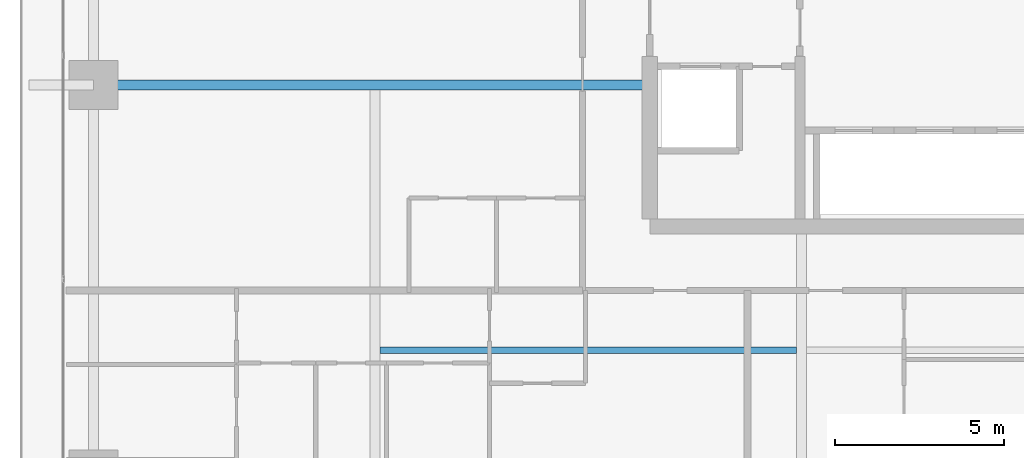
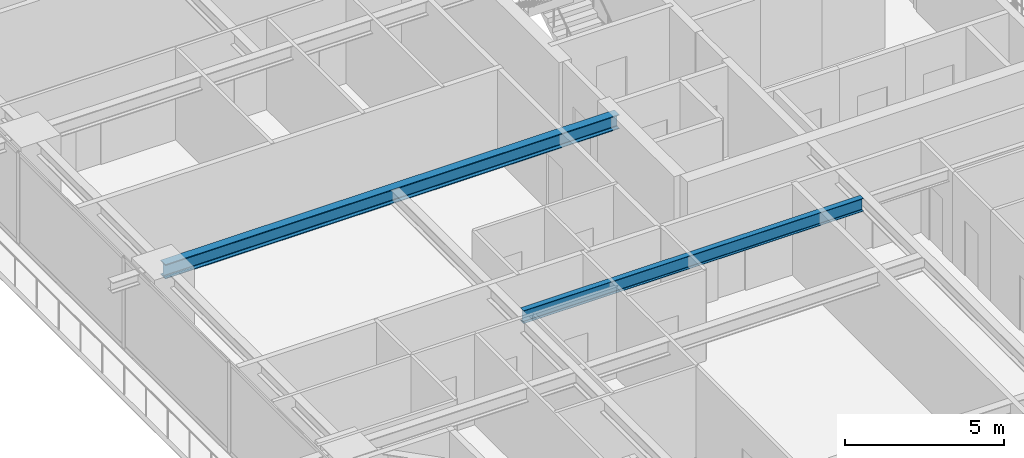
# One storey, part 8 of 39: 2 beams.
"""IFC4 building model written with IfcOpenShell, lengths in metres."""

import ifcopenshell
import ifcopenshell.guid

model = None  # the IFC model being written
_history = None  # IfcOwnerHistory: only IFC2X3 demands one
_inside = {}  # id of a spatial element -> (the spatial element, [elements in it])
_under = {}  # id of a project, library or spatial element -> (it, [spatial elements below it])
_declared = {}  # id of a project -> (the project, [libraries it declares])
_typed = {}  # id of a type object -> (the type object, [elements of that type])
_made_of = {}  # id of a material, layer set ... -> (it, [elements and type objects made of it])


def new_model(schema):
    """Start an empty IFC model of exactly this schema.

    Asked for "IFC4X3", IfcOpenShell would pick the latest addendum, in which some entities
    have other attributes; the version numbers below select the first issue.
    IFC2X3 requires an IfcOwnerHistory on every rooted entity: one is made here for all.
    """
    global model, _history
    if schema == "IFC4X3":
        model = ifcopenshell.file(schema_version=(4, 3, 0, 0))
    else:
        model = ifcopenshell.file(schema=schema)
    _inside.clear()
    _under.clear()
    _declared.clear()
    _typed.clear()
    _made_of.clear()
    _history = None
    if model.schema == "IFC2X3":
        org = make("IfcOrganization", Name="unknown")
        user = make(
            "IfcPersonAndOrganization",
            ThePerson=make("IfcPerson", FamilyName="unknown"),
            TheOrganization=org,
        )
        app = make(
            "IfcApplication",
            ApplicationDeveloper=org,
            Version="unknown",
            ApplicationFullName="unknown",
            ApplicationIdentifier="unknown",
        )
        _history = make(
            "IfcOwnerHistory",
            OwningUser=user,
            OwningApplication=app,
            ChangeAction="ADDED",
            CreationDate=0,
        )
    return model


def make(cls, **values):
    """One entity of the class cls with the attributes given. An attribute that is None is left unset."""
    return model.create_entity(
        cls, **{name: value for name, value in values.items() if value is not None}
    )


def rooted(cls, **values):
    """An entity with a GlobalId (a new one), such as an element, a storey or a relation."""
    return make(cls, GlobalId=ifcopenshell.guid.new(), OwnerHistory=_history, **values)


def si_unit(unit_type, name, prefix=None):
    """IfcSIUnit, for example si_unit("LENGTHUNIT", "METRE", prefix="MILLI")."""
    return make("IfcSIUnit", UnitType=unit_type, Prefix=prefix, Name=name)


def assignment(units):
    """IfcUnitAssignment: the units of a project."""
    return None if units is None else make("IfcUnitAssignment", Units=units)


def point(xyz):
    """IfcCartesianPoint."""
    return None if xyz is None else make("IfcCartesianPoint", Coordinates=xyz)


def direction(xyz):
    """IfcDirection."""
    return None if xyz is None else make("IfcDirection", DirectionRatios=xyz)


def frame(location, z_axis=None, x_axis=None):
    """IfcAxis2Placement3D, a coordinate frame: its origin and axes. An axis left out is left unset."""
    return make(
        "IfcAxis2Placement3D",
        Location=point(location),
        Axis=direction(z_axis),
        RefDirection=direction(x_axis),
    )


def frame_2d(location, x_axis=None):
    """IfcAxis2Placement2D, a coordinate frame in the plane: its origin and x axis."""
    return make(
        "IfcAxis2Placement2D", Location=point(location), RefDirection=direction(x_axis)
    )


def origin():
    """The frame at (0, 0, 0) with its axes left unset."""
    return frame((0.0, 0.0, 0.0))


def origin_2d():
    """The frame at (0, 0) in the plane with its x axis left unset."""
    return frame_2d((0.0, 0.0))


def place(relative_to, where):
    """IfcLocalPlacement: puts the frame where relative to a parent placement (None: the world)."""
    return make(
        "IfcLocalPlacement", PlacementRelTo=relative_to, RelativePlacement=where
    )


def context(
    kind, dimensions, precision=None, world=None, true_north=None, identifier=None
):
    """IfcGeometricRepresentationContext, for example the 3D "Model" context."""
    return make(
        "IfcGeometricRepresentationContext",
        ContextIdentifier=identifier,
        ContextType=kind,
        CoordinateSpaceDimension=dimensions,
        Precision=precision,
        WorldCoordinateSystem=world,
        TrueNorth=true_north,
    )


def subcontext(parent, identifier, kind, view, scale=None):
    """IfcGeometricRepresentationSubContext, for example "Body" below "Model"."""
    return make(
        "IfcGeometricRepresentationSubContext",
        ContextIdentifier=identifier,
        ContextType=kind,
        ParentContext=parent,
        TargetScale=scale,
        TargetView=view,
    )


def project(units=None, contexts=None):
    """IfcProject with its units and contexts."""
    return rooted(
        "IfcProject",
        Name="project",
        RepresentationContexts=contexts,
        UnitsInContext=assignment(units),
    )


def spatial(cls, under=None, at=None, **own):
    """A site, building, storey or space (cls), placed at a placement, below another one or the project."""
    s = rooted(cls, ObjectPlacement=at, **own)
    if under is not None:
        _under.setdefault(under.id(), (under, []))[1].append(s)
    return s


def profile(cls, at=None, kind="AREA", **sizes):
    """A parametric profile (cls). Its sizes go by their IFC names, for example OverallWidth=200.0."""
    return make(cls, ProfileType=kind, Position=at, **sizes)


def i_section(**sizes):
    """IfcIShapeProfileDef."""
    return profile("IfcIShapeProfileDef", **sizes)


def extrude(swept, where, along, depth):
    """IfcExtrudedAreaSolid: the profile swept, set in the frame where, extruded along a direction by depth."""
    return make(
        "IfcExtrudedAreaSolid",
        SweptArea=swept,
        Position=where,
        ExtrudedDirection=direction(along),
        Depth=depth,
    )


def shape(context_of_items, identifier, shape_type, items):
    """IfcShapeRepresentation: the items that make up one representation, for example the "Body"."""
    return make(
        "IfcShapeRepresentation",
        ContextOfItems=context_of_items,
        RepresentationIdentifier=identifier,
        RepresentationType=shape_type,
        Items=items,
    )


def source(mapping_origin, context_of_items, identifier, shape_type, items):
    """IfcRepresentationMap: a shape defined once, which mapped items show again and again."""
    return make(
        "IfcRepresentationMap",
        MappingOrigin=mapping_origin,
        MappedRepresentation=shape(context_of_items, identifier, shape_type, items),
    )


def transform(
    local_origin,
    x_axis=None,
    y_axis=None,
    z_axis=None,
    scale=None,
    scale2=None,
    scale3=None,
    uniform=True,
):
    """IfcCartesianTransformationOperator3D, or its non-uniform kind. x_axis, y_axis, z_axis: its Axis1, 2, 3."""
    if uniform:
        return make(
            "IfcCartesianTransformationOperator3D",
            Axis1=direction(x_axis),
            Axis2=direction(y_axis),
            LocalOrigin=point(local_origin),
            Scale=scale,
            Axis3=direction(z_axis),
        )
    return make(
        "IfcCartesianTransformationOperator3DnonUniform",
        Axis1=direction(x_axis),
        Axis2=direction(y_axis),
        LocalOrigin=point(local_origin),
        Scale=scale,
        Axis3=direction(z_axis),
        Scale2=scale2,
        Scale3=scale3,
    )


def mapped(mapping_source, mapping_target):
    """IfcMappedItem: shows the shape of a source again, moved by a transform."""
    return make(
        "IfcMappedItem", MappingSource=mapping_source, MappingTarget=mapping_target
    )


def material(Name=None, Category=None):
    """IfcMaterial."""
    return make("IfcMaterial", Name=Name, Category=Category)


def material_profile(
    of_material, cross_section, Name=None, Category=None, Priority=None
):
    """IfcMaterialProfile: a cross section and its material."""
    return make(
        "IfcMaterialProfile",
        Name=Name,
        Material=of_material,
        Profile=cross_section,
        Priority=Priority,
        Category=Category,
    )


def profile_set(profiles, Name=None, composite=None):
    """IfcMaterialProfileSet."""
    return make(
        "IfcMaterialProfileSet",
        Name=Name,
        MaterialProfiles=profiles,
        CompositeProfile=composite,
    )


def made_of(thing, what):
    """Note that an element or type object is made of a material, layer set ...; save() writes the relation."""
    if what is not None:
        _made_of.setdefault(what.id(), (what, []))[1].append(thing)
    return thing


def type_object(cls, material=None, **own):
    """A type object (cls), such as IfcWallType, which elements share."""
    return made_of(rooted(cls, **own), material)


def element(
    cls,
    number,
    at=None,
    inside=None,
    cuts=None,
    type_object=None,
    material=None,
    context=None,
    identifier="Body",
    shape_type=None,
    held_by="IfcProductDefinitionShape",
    body=None,
    shapes=None,
    **own,
):
    """One element of the class cls, such as IfcWall. Its Tag is "e" and its number.

    at: its placement. inside: the storey or other place that contains it. cuts: it is an
    opening in that element (IfcRelVoidsElement). A single representation is given by context,
    identifier, shape_type and body (its items); several are given by shapes. held_by: the class
    of the entity that holds the representations. save() writes the other relations.
    """
    e = rooted(cls, Tag="e%d" % number, ObjectPlacement=at, **own)
    if body is not None:
        shapes = [shape(context, identifier, shape_type, body)]
    if shapes is not None:
        e.Representation = make(held_by, Representations=shapes)
    if inside is not None:
        _inside.setdefault(inside.id(), (inside, []))[1].append(e)
    if cuts is not None:
        rooted(
            "IfcRelVoidsElement", RelatingBuildingElement=cuts, RelatedOpeningElement=e
        )
    if type_object is not None:
        _typed.setdefault(type_object.id(), (type_object, []))[1].append(e)
    return made_of(e, material)


def aggregate(whole, parts):
    """IfcRelAggregates: a whole, such as a stair, and the parts it consists of."""
    return rooted("IfcRelAggregates", RelatingObject=whole, RelatedObjects=parts)


def save(model, path):
    """Write the relations noted so far, then the file.

    IfcRelAggregates (storeys below a building ...), IfcRelContainedInSpatialStructure (elements
    in a storey), IfcRelDefinesByType, IfcRelAssociatesMaterial and IfcRelDeclares: one each for
    every whole, place, type object, material and project.
    """
    for whole, parts in _under.values():
        aggregate(whole, parts)
    for where, things in _inside.values():
        rooted(
            "IfcRelContainedInSpatialStructure",
            RelatedElements=things,
            RelatingStructure=where,
        )
    for kind, things in _typed.values():
        rooted("IfcRelDefinesByType", RelatedObjects=things, RelatingType=kind)
    for what, things in _made_of.values():
        rooted("IfcRelAssociatesMaterial", RelatedObjects=things, RelatingMaterial=what)
    for by, libraries in _declared.values():
        rooted("IfcRelDeclares", RelatingContext=by, RelatedDefinitions=libraries)
    model.write(path)


model = new_model("IFC4")

# Units and contexts
model_context = context("Model", 3, precision=1e-05, world=origin(), true_north=direction((0.0, 1.0)))
body_context = subcontext(model_context, "Body", "Model", "MODEL_VIEW")
ifc_project = project(units=[si_unit("LENGTHUNIT", "METRE"), si_unit("AREAUNIT", "SQUARE_METRE"), si_unit("VOLUMEUNIT", "CUBIC_METRE"), si_unit("PLANEANGLEUNIT", "RADIAN"), si_unit("MASSUNIT", "GRAM", prefix="KILO")], contexts=[model_context])

# Site, building, storey
site_placement = place(None, origin())
site = spatial("IfcSite", under=ifc_project, at=site_placement, CompositionType="ELEMENT")
building_placement = place(site_placement, origin())
building = spatial("IfcBuilding", under=site, at=building_placement, Name="Serunith Strait Residences", CompositionType="ELEMENT")
storey_placement = place(building_placement, frame((0.0, 0.0, 64.199951171875)))
storey = spatial("IfcBuildingStorey", under=building, at=storey_placement, Name="L15", CompositionType="ELEMENT", Elevation=64.199951171875)

# Beams
ifc_material = material(Name="Steel S355J2", Category="steel")
ifc_material_profile_1 = material_profile(ifc_material, i_section(OverallWidth=0.300048828125, OverallDepth=0.550048828125, WebThickness=0.014892578125, FlangeThickness=0.029052734375, FilletRadius=0.027099609375, at=origin_2d()), Name="HEB 550")
ifc_profile_set_1 = profile_set([ifc_material_profile_1], Name="Steel S355J2")
beam_type_1 = type_object("IfcBeamType", Name="BM-HEB550", PredefinedType="BEAM", material=ifc_profile_set_1)
shared_shape_1 = source(origin(), body_context, "Body", "SweptSolid", [
    extrude(i_section(OverallWidth=0.300048828125, OverallDepth=0.550048828125, WebThickness=0.014892578125, FlangeThickness=0.029052734375, FilletRadius=0.027099609375, at=origin_2d()), origin(), (0.0, 0.0, 1.0), 16.5),
])
beam_1_placement = place(storey_placement, frame((23.39990234375, 21.0, 3.212158203125), z_axis=(-1.0, 0.0, 0.0), x_axis=(0.0, -1.0, 0.0)))
element("IfcBeam", 1, at=beam_1_placement, inside=storey, type_object=beam_type_1, Name="L15 Primary Floor Girder TC-W2", PredefinedType="BEAM", context=body_context, shape_type="MappedRepresentation", body=[
    mapped(shared_shape_1, transform((0.0, 0.0, 0.0), scale=1.0)),
])
ifc_material_profile_2 = material_profile(ifc_material, i_section(OverallWidth=0.199951171875, OverallDepth=0.5, WebThickness=0.01025390625, FlangeThickness=0.01611328125, FilletRadius=0.02099609375, at=origin_2d()), Name="IPE 500")
ifc_profile_set_2 = profile_set([ifc_material_profile_2], Name="Steel S355J2")
beam_type_2 = type_object("IfcBeamType", Name="BM-IPE500", PredefinedType="JOIST", material=ifc_profile_set_2)
shared_shape_2 = source(origin(), body_context, "Body", "SweptSolid", [
    extrude(i_section(OverallWidth=0.199951171875, OverallDepth=0.5, WebThickness=0.01025390625, FlangeThickness=0.01611328125, FilletRadius=0.02099609375, at=origin_2d()), origin(), (0.0, 0.0, 1.0), 12.35009765625),
])
beam_2_placement = place(storey_placement, frame((15.39990234375, 13.125, 3.237060546875), z_axis=(1.0, 0.0, 0.0), x_axis=(0.0, 1.0, 0.0)))
element("IfcBeam", 2, at=beam_2_placement, inside=storey, type_object=beam_type_2, Name="L15 Composite Floor Joist 01", PredefinedType="JOIST", context=body_context, shape_type="MappedRepresentation", body=[
    mapped(shared_shape_2, transform((0.0, 0.0, 0.0), scale=1.0)),
])

save(model, "model.ifc")
